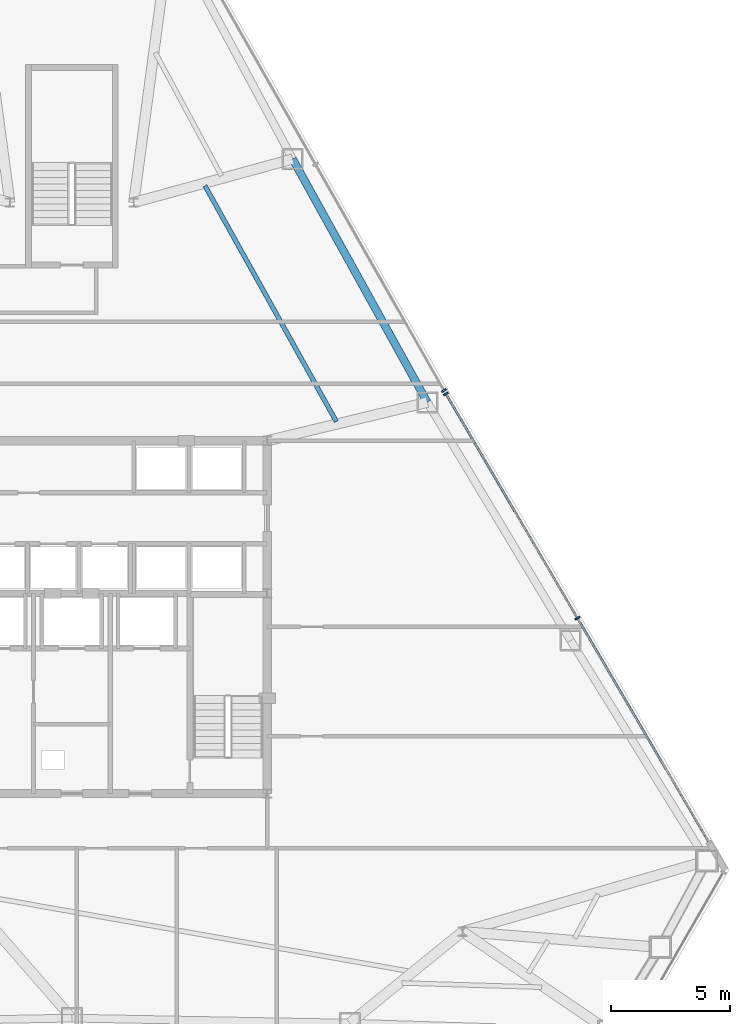
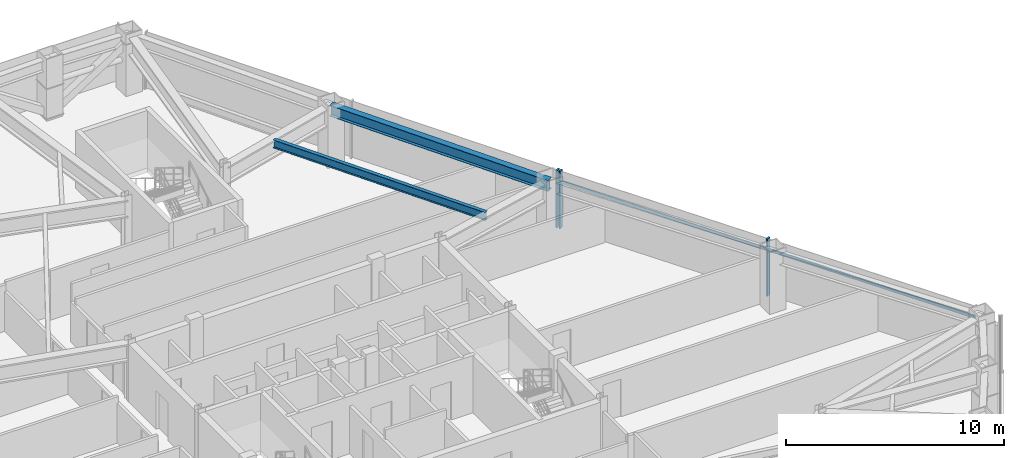
# One storey, part 7 of 13: 4 members, 2 beams, 2 elements without a shape of their own.
"""IFC4 building model written with IfcOpenShell, lengths in metres."""

from ifc_helpers import new_model, si_unit, direction, frame, origin, origin_2d, place, context, subcontext, project, spatial, rectangle, i_section, extrude, source, transform, mapped, material, layer, layer_set, material_profile, profile_set, type_object, type_shapes, element, aggregate, save


model = new_model("IFC4")

# Units and contexts
model_context = context("Model", 3, precision=1e-05, world=origin(), true_north=direction((0.0, 1.0)))
body_context = subcontext(model_context, "Body", "Model", "MODEL_VIEW")
ifc_project = project(units=[si_unit("LENGTHUNIT", "METRE"), si_unit("AREAUNIT", "SQUARE_METRE"), si_unit("VOLUMEUNIT", "CUBIC_METRE"), si_unit("PLANEANGLEUNIT", "RADIAN"), si_unit("MASSUNIT", "GRAM", prefix="KILO")], contexts=[model_context])

# Site, building, storey
site_placement = place(None, origin())
site = spatial("IfcSite", under=ifc_project, at=site_placement, CompositionType="ELEMENT")
building_placement = place(site_placement, origin())
building = spatial("IfcBuilding", under=site, at=building_placement, Name="Varakhsha Concourse Tower", CompositionType="ELEMENT")
storey_placement = place(building_placement, frame((0.0, 0.0, 136.699951171875)))
storey = spatial("IfcBuildingStorey", under=building, at=storey_placement, Name="L39", CompositionType="ELEMENT", Elevation=136.699951171875)

# Beams
ifc_material_1 = material(Name="Structural Steel ASTM A992 Grade 50", Category="steel")
ifc_material_profile_1 = material_profile(ifc_material_1, i_section(OverallWidth=0.19091796875, OverallDepth=0.45703125, WebThickness=0.009033203125, FlangeThickness=0.013916015625, at=origin_2d()), Name="W18X50")
ifc_profile_set_1 = profile_set([ifc_material_profile_1], Name="Structural Steel ASTM A992 Grade 50")
beam_type_1 = type_object("IfcBeamType", Name="BM-JST-W18X50", PredefinedType="JOIST", material=ifc_profile_set_1)
beam_1_placement = place(storey_placement, frame((51.10400390625, 32.006591796875, 2.9814453125), z_axis=(-0.4866796138, 0.873580536363, 0.0), x_axis=(-0.873580536363, -0.4866796138, 0.0)))
element("IfcBeam", 1, at=beam_1_placement, inside=storey, type_object=beam_type_1, Name="BM-TJST-L39-17", PredefinedType="JOIST", context=body_context, shape_type="SweptSolid", body=[
    extrude(i_section(OverallWidth=0.19091796875, OverallDepth=0.45703125, WebThickness=0.009033203125, FlangeThickness=0.013916015625, at=origin_2d()), origin(), (0.0, 0.0, 1.0), 11.333740234375),
])
ifc_material_profile_2 = material_profile(ifc_material_1, i_section(OverallWidth=0.323974609375, OverallDepth=0.611083984375, WebThickness=0.012939453125, FlangeThickness=0.01904296875, at=origin_2d()), Name="W24X104")
ifc_profile_set_2 = profile_set([ifc_material_profile_2], Name="Structural Steel ASTM A992 Grade 50")
beam_type_2 = type_object("IfcBeamType", Name="BM-SPAN-W24X104", PredefinedType="SPANDREL", material=ifc_profile_set_2)
beam_2_placement = place(storey_placement, frame((54.92138671875, 32.81494140625, 2.904541015625), z_axis=(-0.484256982071, 0.874925811321, 0.0), x_axis=(-0.874925811321, -0.484256982071, 0.0)))
element("IfcBeam", 2, at=beam_2_placement, inside=storey, type_object=beam_type_2, Name="BM-SPAN-L39-17", PredefinedType="SPANDREL", context=body_context, shape_type="SweptSolid", body=[
    extrude(i_section(OverallWidth=0.323974609375, OverallDepth=0.611083984375, WebThickness=0.012939453125, FlangeThickness=0.01904296875, at=origin_2d()), origin(), (0.0, 0.0, 1.0), 11.671142578125),
])

# Curtain wall, members
ifc_material_2 = material(Name="Anodised Bronze Architectural Aluminium AA 6063-T6", Category="aluminium")
ifc_layer = layer(ifc_material_2, 0.2099609375, Name="CW-SYS-04")
ifc_layer_set = layer_set([ifc_layer], Name="Anodised Bronze Architectural Aluminium AA 6063-T6")
curtain_wall_type = type_object("IfcCurtainWallType", Name="CW-SYS-04", PredefinedType="NOTDEFINED", material=ifc_layer_set)
curtain_wall_1_placement = place(storey_placement, origin())
curtain_wall_1 = element("IfcCurtainWall", 3, at=curtain_wall_1_placement, inside=storey, type_object=curtain_wall_type, Name="L39 Crystal Curtain Wall F8", PredefinedType="NOTDEFINED")
ifc_material_profile_3 = material_profile(ifc_material_2, rectangle(XDim=0.074951171875, YDim=0.219970703125, at=origin_2d()), Name="CWM-220X75")
ifc_profile_set_3 = profile_set([ifc_material_profile_3], Name="Anodised Bronze Architectural Aluminium AA 6063-T6")
member_type_1 = type_object("IfcMemberType", Name="CWM-220X75", PredefinedType="MULLION", material=ifc_profile_set_3)
shared_shape_1 = source(origin(), body_context, "Body", "SweptSolid", [
    extrude(rectangle(XDim=0.074951171875, YDim=0.219970703125, at=origin_2d()), origin(), (0.0, 0.0, 1.0), 3.2099609375),
])
type_shapes(member_type_1, [shared_shape_1])
member_1_placement = place(storey_placement, frame((55.7001953125, 33.1708984375, 0.0), z_axis=(0.0, 0.0, 1.0), x_axis=(0.505862141887, -0.862614336424, 0.0)))
member_1 = element("IfcMember", 4, at=member_1_placement, type_object=member_type_1, Name="CW-L39-F8 Mullion 00", PredefinedType="MULLION", context=body_context, shape_type="MappedRepresentation", body=[
    mapped(shared_shape_1, transform((0.0, 0.0, 0.0), scale=1.0)),
])
member_2_placement = place(storey_placement, frame((61.22119140625, 23.756591796875, 0.0), z_axis=(0.0, 0.0, 1.0), x_axis=(0.505862141887, -0.862614336424, 0.0)))
member_2 = element("IfcMember", 5, at=member_2_placement, type_object=member_type_1, Name="CW-L39-F8 Mullion 01", PredefinedType="MULLION", context=body_context, shape_type="MappedRepresentation", body=[
    mapped(shared_shape_1, transform((0.0, 0.0, 0.0), scale=1.0)),
])

# Curtain wall, member
curtain_wall_2_placement = place(storey_placement, origin())
curtain_wall_2 = element("IfcCurtainWall", 6, at=curtain_wall_2_placement, inside=storey, type_object=curtain_wall_type, Name="L39 Crystal Curtain Wall F9", PredefinedType="NOTDEFINED")
member_3_placement = place(storey_placement, frame((55.619140625, 33.311279296875, 0.0), z_axis=(0.0, 0.0, 1.0), x_axis=(0.494114858069, -0.8693966339, 0.0)))
member_3 = element("IfcMember", 7, at=member_3_placement, type_object=member_type_1, Name="CW-L39-F9 Mullion 02", PredefinedType="MULLION", context=body_context, shape_type="MappedRepresentation", body=[
    mapped(shared_shape_1, transform((0.0, 0.0, 0.0), scale=1.0)),
])
aggregate(curtain_wall_2, [member_3])

# Member
ifc_material_profile_4 = material_profile(ifc_material_2, rectangle(XDim=0.06494140625, YDim=0.159912109375, at=origin_2d()), Name="CWT-160X65")
ifc_profile_set_4 = profile_set([ifc_material_profile_4], Name="Anodised Bronze Architectural Aluminium AA 6063-T6")
member_type_2 = type_object("IfcMemberType", Name="CWT-160X65", PredefinedType="USERDEFINED", material=ifc_profile_set_4)
shared_shape_2 = source(origin(), body_context, "Body", "SweptSolid", [
    extrude(rectangle(XDim=0.06494140625, YDim=0.159912109375, at=origin_2d()), origin(), (0.0, 0.0, 1.0), 21.827392578125),
])
type_shapes(member_type_2, [shared_shape_2])
member_4_placement = place(storey_placement, frame((55.7001953125, 33.1708984375, 2.56005859375), z_axis=(0.505865600698, -0.862612308068, 0.0), x_axis=(0.862612308068, 0.505865600698, 0.0)))
member_4 = element("IfcMember", 8, at=member_4_placement, type_object=member_type_2, Name="CW-L39-F8 Transom 01", ObjectType="TRANSOM", PredefinedType="USERDEFINED", context=body_context, shape_type="MappedRepresentation", body=[
    mapped(shared_shape_2, transform((0.0, 0.0, 0.0), scale=1.0)),
])

aggregate(curtain_wall_1, [member_1, member_2, member_4])

save(model, "model.ifc")
